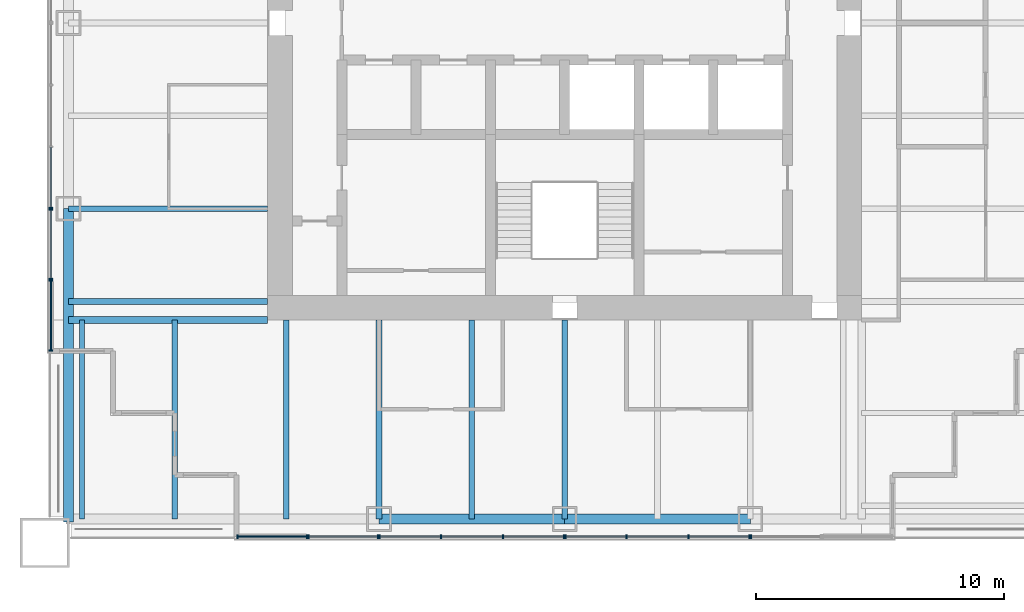
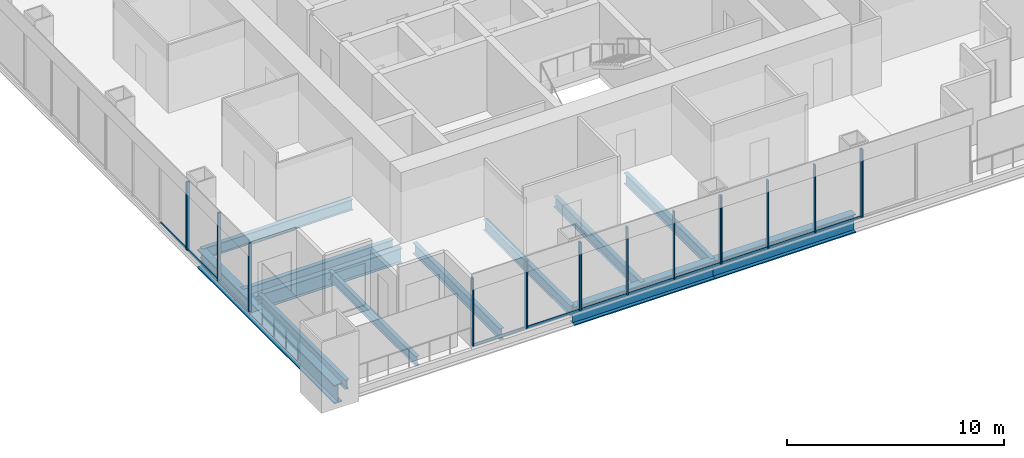
# One storey, part 2 of 14: 29 members, 12 beams, 8 elements without a shape of their own.
"""IFC4 building model written with IfcOpenShell, lengths in metres."""

from ifc_helpers import new_model, si_unit, direction, frame, origin, origin_2d, place, context, subcontext, project, spatial, rectangle, i_section, extrude, material, material_profile, profile_set, type_object, element, aggregate, save


model = new_model("IFC4")

# Units and contexts
model_context = context("Model", 3, precision=1e-05, world=origin(), true_north=direction((0.0, 1.0)))
body_context = subcontext(model_context, "Body", "Model", "MODEL_VIEW")
ifc_project = project(units=[si_unit("LENGTHUNIT", "METRE"), si_unit("AREAUNIT", "SQUARE_METRE"), si_unit("VOLUMEUNIT", "CUBIC_METRE"), si_unit("PLANEANGLEUNIT", "RADIAN"), si_unit("MASSUNIT", "GRAM", prefix="KILO")], contexts=[model_context])

# Site, building, storey
site_placement = place(None, origin())
site = spatial("IfcSite", under=ifc_project, at=site_placement, CompositionType="ELEMENT")
building_placement = place(site_placement, origin())
building = spatial("IfcBuilding", under=site, at=building_placement, Name="Tarangal Relay Tower", CompositionType="ELEMENT")
storey_placement = place(building_placement, frame((0.0, 0.0, 327.89990234375)))
storey = spatial("IfcBuildingStorey", under=building, at=storey_placement, Name="L73", CompositionType="ELEMENT", Elevation=327.89990234375)

# Beams
ifc_material_1 = material(Name="Steel ASTM A992", Category="steel")
ifc_material_profile_1 = material_profile(ifc_material_1, i_section(OverallWidth=0.209228515625, OverallDepth=0.533447265625, WebThickness=0.01025390625, FlangeThickness=0.015625, at=origin_2d()), Name="W21X62")
ifc_profile_set_1 = profile_set([ifc_material_profile_1], Name="Steel ASTM A992")
beam_type_1 = type_object("IfcBeamType", Name="Corner beam W21X62", PredefinedType="JOIST", material=ifc_profile_set_1)
for number, where, z_axis, x_axis, name in (
    (1, (-15.75, -12.0, -0.41650390625), (0.0, -1.0, 0.0), (1.0, 0.0, 0.0), "Corner beam CB12 S L73"),
    (2, (-19.5, -12.0, -0.41650390625), (0.0, -1.0, 0.0), (1.0, 0.0, 0.0), "Corner beam CB12 S L73"),
):
    element("IfcBeam", number, at=place(storey_placement, frame(where, z_axis=z_axis, x_axis=x_axis)), inside=storey, type_object=beam_type_1, Name=name, PredefinedType="JOIST", context=body_context, shape_type="SweptSolid", body=[
        extrude(i_section(OverallWidth=0.209228515625, OverallDepth=0.533447265625, WebThickness=0.01025390625, FlangeThickness=0.015625, at=origin_2d()), origin(), (0.0, 0.0, 1.0), 8.0400390625),
    ])
ifc_material_profile_2 = material_profile(ifc_material_1, i_section(OverallWidth=0.2919921875, OverallDepth=0.8408203125, WebThickness=0.0146484375, FlangeThickness=0.021728515625, at=origin_2d()), Name="W33X130")
ifc_profile_set_2 = profile_set([ifc_material_profile_2], Name="Steel ASTM A992")
beam_type_2 = type_object("IfcBeamType", Name="Corner girder W33X130", PredefinedType="BEAM", material=ifc_profile_set_2)
beam_1_placement = place(storey_placement, frame((-12.0, -12.0, -0.5703125), z_axis=(-1.0, 0.0, 0.0), x_axis=(0.0, -1.0, 0.0)))
element("IfcBeam", 3, at=beam_1_placement, inside=storey, type_object=beam_type_2, Name="Corner girder CG5 S L73", PredefinedType="BEAM", context=body_context, shape_type="SweptSolid", body=[
    extrude(i_section(OverallWidth=0.2919921875, OverallDepth=0.8408203125, WebThickness=0.0146484375, FlangeThickness=0.021728515625, at=origin_2d()), origin(), (0.0, 0.0, 1.0), 8.0400390625),
])
ifc_material_profile_3 = material_profile(ifc_material_1, i_section(OverallWidth=0.41162109375, OverallDepth=1.049072265625, WebThickness=0.033935546875, FlangeThickness=0.059814453125, at=origin_2d()), Name="W40X431")
ifc_profile_set_3 = profile_set([ifc_material_profile_3], Name="Steel ASTM A992")
beam_type_3 = type_object("IfcBeamType", Name="Edge girder W40X431", PredefinedType="SPANDREL", material=ifc_profile_set_3)
for number, where, z_axis, x_axis, name in (
    (4, (7.5, -20.0400390625, -0.67431640625), (-1.0, 0.0, 0.0), (0.0, -1.0, 0.0), "Edge girder EG1 S L73"),
    (5, (0.0, -20.0400390625, -0.67431640625), (-1.0, 0.0, 0.0), (0.0, -1.0, 0.0), "Edge girder EG1 S L73"),
):
    element("IfcBeam", number, at=place(storey_placement, frame(where, z_axis=z_axis, x_axis=x_axis)), inside=storey, type_object=beam_type_3, Name=name, PredefinedType="SPANDREL", context=body_context, shape_type="SweptSolid", body=[
        extrude(i_section(OverallWidth=0.41162109375, OverallDepth=1.049072265625, WebThickness=0.033935546875, FlangeThickness=0.059814453125, at=origin_2d()), origin(), (0.0, 0.0, 1.0), 7.5),
    ])
beam_2_placement = place(storey_placement, frame((-20.0400390625, -20.14990234375, -0.67431640625), z_axis=(0.0, 1.0, 0.0), x_axis=(-1.0, 0.0, 0.0)))
element("IfcBeam", 6, at=beam_2_placement, inside=storey, type_object=beam_type_3, Name="Edge girder EG1 W L73", PredefinedType="SPANDREL", context=body_context, shape_type="SweptSolid", body=[
    extrude(i_section(OverallWidth=0.41162109375, OverallDepth=1.049072265625, WebThickness=0.033935546875, FlangeThickness=0.059814453125, at=origin_2d()), origin(), (0.0, 0.0, 1.0), 12.64990234375),
])
ifc_material_profile_4 = material_profile(ifc_material_1, i_section(OverallWidth=0.228271484375, OverallDepth=0.607177734375, WebThickness=0.01123046875, FlangeThickness=0.017333984375, at=origin_2d()), Name="W24X76")
ifc_profile_set_4 = profile_set([ifc_material_profile_4], Name="Steel ASTM A992")
beam_type_4 = type_object("IfcBeamType", Name="Floor beam W24X76", PredefinedType="BEAM", material=ifc_profile_set_4)
for number, where, z_axis, x_axis, name in (
    (7, (0.0, -12.0, -0.453369140625), (0.0, -1.0, 0.0), (1.0, 0.0, 0.0), "Floor beam RB5 S L73"),
    (8, (-3.75, -12.0, -0.453369140625), (0.0, -1.0, 0.0), (1.0, 0.0, 0.0), "Floor beam RB5 S L73"),
    (9, (-7.5, -12.0, -0.453369140625), (0.0, -1.0, 0.0), (1.0, 0.0, 0.0), "Floor beam RB5 S L73"),
    (10, (-11.25, -12.0, -0.453369140625), (0.0, -1.0, 0.0), (1.0, 0.0, 0.0), "Floor beam RB5 S L73"),
    (11, (-12.0, -11.25, -0.453369140625), (-1.0, 0.0, 0.0), (0.0, -1.0, 0.0), "Floor beam RB5 W L73"),
    (12, (-12.0, -7.5, -0.453369140625), (-1.0, 0.0, 0.0), (0.0, -1.0, 0.0), "Floor beam RB5 W L73"),
):
    element("IfcBeam", number, at=place(storey_placement, frame(where, z_axis=z_axis, x_axis=x_axis)), inside=storey, type_object=beam_type_4, Name=name, PredefinedType="BEAM", context=body_context, shape_type="SweptSolid", body=[
        extrude(i_section(OverallWidth=0.228271484375, OverallDepth=0.607177734375, WebThickness=0.01123046875, FlangeThickness=0.017333984375, at=origin_2d()), origin(), (0.0, 0.0, 1.0), 8.0400390625),
    ])

# Curtain wall, member
ifc_material_2 = material(Name="Unitised curtain wall, dark glass and black aluminium", Category="aluminium")
curtain_wall_type_1 = type_object("IfcCurtainWallType", Name="Curtain wall CW-B", PredefinedType="USERDEFINED", material=ifc_material_2)
curtain_wall_1_placement = place(storey_placement, origin())
curtain_wall_1 = element("IfcCurtainWall", 13, at=curtain_wall_1_placement, inside=storey, type_object=curtain_wall_type_1, Name="Curtain wall CW-B S facade L73", ObjectType="UNITISED CURTAIN WALL", PredefinedType="USERDEFINED")
ifc_material_3 = material(Name="Black anodised aluminium mullion", Category="aluminium")
ifc_material_profile_5 = material_profile(ifc_material_3, rectangle(XDim=0.159912109375, YDim=0.06005859375, at=origin_2d()), Name="CW-BM 60X160")
ifc_profile_set_5 = profile_set([ifc_material_profile_5], Name="Black anodised aluminium mullion")
member_type_1 = type_object("IfcMemberType", Name="Mullion CW-B 60 x 160", PredefinedType="MULLION", material=ifc_profile_set_5)
member_1_placement = place(storey_placement, frame((7.530029296875, -20.75, 0.0), z_axis=(0.0, 0.0, 1.0), x_axis=(0.0, -1.0, 0.0)))
member_1 = element("IfcMember", 14, at=member_1_placement, type_object=member_type_1, Name="CW-B mullion 2", PredefinedType="MULLION", context=body_context, shape_type="SweptSolid", body=[
    extrude(rectangle(XDim=0.159912109375, YDim=0.06005859375, at=origin_2d()), origin(), (0.0, 0.0, 1.0), 3.85009765625),
])
aggregate(curtain_wall_1, [member_1])

# Curtain wall, members
curtain_wall_2_placement = place(storey_placement, origin())
curtain_wall_2 = element("IfcCurtainWall", 15, at=curtain_wall_2_placement, inside=storey, type_object=curtain_wall_type_1, Name="Curtain wall CW-B S facade L73", ObjectType="UNITISED CURTAIN WALL", PredefinedType="USERDEFINED")
member_2_placement = place(storey_placement, frame((7.469970703125, -20.75, 0.0), z_axis=(0.0, 0.0, 1.0), x_axis=(0.0, -1.0, 0.0)))
member_2 = element("IfcMember", 16, at=member_2_placement, type_object=member_type_1, Name="CW-B mullion 1", PredefinedType="MULLION", context=body_context, shape_type="SweptSolid", body=[
    extrude(rectangle(XDim=0.159912109375, YDim=0.06005859375, at=origin_2d()), origin(), (0.0, 0.0, 1.0), 3.85009765625),
])
member_3_placement = place(storey_placement, frame((5.0, -20.75, 0.0), z_axis=(0.0, 0.0, 1.0), x_axis=(0.0, -1.0, 0.0)))
member_3 = element("IfcMember", 17, at=member_3_placement, type_object=member_type_1, Name="CW-B mullion 2", PredefinedType="MULLION", context=body_context, shape_type="SweptSolid", body=[
    extrude(rectangle(XDim=0.159912109375, YDim=0.06005859375, at=origin_2d()), origin(), (0.0, 0.0, 1.0), 3.85009765625),
])
member_4_placement = place(storey_placement, frame((2.5, -20.75, 0.0), z_axis=(0.0, 0.0, 1.0), x_axis=(0.0, -1.0, 0.0)))
member_4 = element("IfcMember", 18, at=member_4_placement, type_object=member_type_1, Name="CW-B mullion 3", PredefinedType="MULLION", context=body_context, shape_type="SweptSolid", body=[
    extrude(rectangle(XDim=0.159912109375, YDim=0.06005859375, at=origin_2d()), origin(), (0.0, 0.0, 1.0), 3.85009765625),
])
member_5_placement = place(storey_placement, frame((0.030029296875, -20.75, 0.0), z_axis=(0.0, 0.0, 1.0), x_axis=(0.0, -1.0, 0.0)))
member_5 = element("IfcMember", 19, at=member_5_placement, type_object=member_type_1, Name="CW-B mullion 4", PredefinedType="MULLION", context=body_context, shape_type="SweptSolid", body=[
    extrude(rectangle(XDim=0.159912109375, YDim=0.06005859375, at=origin_2d()), origin(), (0.0, 0.0, 1.0), 3.85009765625),
])

curtain_wall_3_placement = place(storey_placement, origin())
curtain_wall_3 = element("IfcCurtainWall", 20, at=curtain_wall_3_placement, inside=storey, type_object=curtain_wall_type_1, Name="Curtain wall CW-B S facade L73", ObjectType="UNITISED CURTAIN WALL", PredefinedType="USERDEFINED")
member_6_placement = place(storey_placement, frame((-0.030029296875, -20.75, 0.0), z_axis=(0.0, 0.0, 1.0), x_axis=(0.0, -1.0, 0.0)))
member_6 = element("IfcMember", 21, at=member_6_placement, type_object=member_type_1, Name="CW-B mullion 1", PredefinedType="MULLION", context=body_context, shape_type="SweptSolid", body=[
    extrude(rectangle(XDim=0.159912109375, YDim=0.06005859375, at=origin_2d()), origin(), (0.0, 0.0, 1.0), 3.85009765625),
])
member_7_placement = place(storey_placement, frame((-2.5, -20.75, 0.0), z_axis=(0.0, 0.0, 1.0), x_axis=(0.0, -1.0, 0.0)))
member_7 = element("IfcMember", 22, at=member_7_placement, type_object=member_type_1, Name="CW-B mullion 2", PredefinedType="MULLION", context=body_context, shape_type="SweptSolid", body=[
    extrude(rectangle(XDim=0.159912109375, YDim=0.06005859375, at=origin_2d()), origin(), (0.0, 0.0, 1.0), 3.85009765625),
])
member_8_placement = place(storey_placement, frame((-5.0, -20.75, 0.0), z_axis=(0.0, 0.0, 1.0), x_axis=(0.0, -1.0, 0.0)))
member_8 = element("IfcMember", 23, at=member_8_placement, type_object=member_type_1, Name="CW-B mullion 3", PredefinedType="MULLION", context=body_context, shape_type="SweptSolid", body=[
    extrude(rectangle(XDim=0.159912109375, YDim=0.06005859375, at=origin_2d()), origin(), (0.0, 0.0, 1.0), 3.85009765625),
])
member_9_placement = place(storey_placement, frame((-7.469970703125, -20.75, 0.0), z_axis=(0.0, 0.0, 1.0), x_axis=(0.0, -1.0, 0.0)))
member_9 = element("IfcMember", 24, at=member_9_placement, type_object=member_type_1, Name="CW-B mullion 4", PredefinedType="MULLION", context=body_context, shape_type="SweptSolid", body=[
    extrude(rectangle(XDim=0.159912109375, YDim=0.06005859375, at=origin_2d()), origin(), (0.0, 0.0, 1.0), 3.85009765625),
])

curtain_wall_4_placement = place(storey_placement, origin())
curtain_wall_4 = element("IfcCurtainWall", 25, at=curtain_wall_4_placement, inside=storey, type_object=curtain_wall_type_1, Name="Curtain wall CW-B S facade L73", ObjectType="UNITISED CURTAIN WALL", PredefinedType="USERDEFINED")
member_10_placement = place(storey_placement, frame((-7.530029296875, -20.75, 0.0), z_axis=(0.0, 0.0, 1.0), x_axis=(0.0, -1.0, 0.0)))
member_10 = element("IfcMember", 26, at=member_10_placement, type_object=member_type_1, Name="CW-B mullion 1", PredefinedType="MULLION", context=body_context, shape_type="SweptSolid", body=[
    extrude(rectangle(XDim=0.159912109375, YDim=0.06005859375, at=origin_2d()), origin(), (0.0, 0.0, 1.0), 3.85009765625),
])
member_11_placement = place(storey_placement, frame((-10.344970703125, -20.75, 0.0), z_axis=(0.0, 0.0, 1.0), x_axis=(0.0, -1.0, 0.0)))
member_11 = element("IfcMember", 27, at=member_11_placement, type_object=member_type_1, Name="CW-B mullion 2", PredefinedType="MULLION", context=body_context, shape_type="SweptSolid", body=[
    extrude(rectangle(XDim=0.159912109375, YDim=0.06005859375, at=origin_2d()), origin(), (0.0, 0.0, 1.0), 3.85009765625),
])

curtain_wall_5_placement = place(storey_placement, origin())
curtain_wall_5 = element("IfcCurtainWall", 28, at=curtain_wall_5_placement, inside=storey, type_object=curtain_wall_type_1, Name="Curtain wall CW-B W facade L73", ObjectType="UNITISED CURTAIN WALL", PredefinedType="USERDEFINED")
member_12_placement = place(storey_placement, frame((-20.75, -10.344970703125, 0.0), z_axis=(0.0, 0.0, 1.0), x_axis=(-1.0, 0.0, 0.0)))
member_12 = element("IfcMember", 29, at=member_12_placement, type_object=member_type_1, Name="CW-B mullion 1", PredefinedType="MULLION", context=body_context, shape_type="SweptSolid", body=[
    extrude(rectangle(XDim=0.159912109375, YDim=0.06005859375, at=origin_2d()), origin(), (0.0, 0.0, 1.0), 3.85009765625),
])
member_13_placement = place(storey_placement, frame((-20.75, -7.530029296875, 0.0), z_axis=(0.0, 0.0, 1.0), x_axis=(-1.0, 0.0, 0.0)))
member_13 = element("IfcMember", 30, at=member_13_placement, type_object=member_type_1, Name="CW-B mullion 2", PredefinedType="MULLION", context=body_context, shape_type="SweptSolid", body=[
    extrude(rectangle(XDim=0.159912109375, YDim=0.06005859375, at=origin_2d()), origin(), (0.0, 0.0, 1.0), 3.85009765625),
])

# Curtain wall, member
curtain_wall_6_placement = place(storey_placement, origin())
curtain_wall_6 = element("IfcCurtainWall", 31, at=curtain_wall_6_placement, inside=storey, type_object=curtain_wall_type_1, Name="Curtain wall CW-B W facade L73", ObjectType="UNITISED CURTAIN WALL", PredefinedType="USERDEFINED")
member_14_placement = place(storey_placement, frame((-20.75, -7.469970703125, 0.0), z_axis=(0.0, 0.0, 1.0), x_axis=(-1.0, 0.0, 0.0)))
member_14 = element("IfcMember", 32, at=member_14_placement, type_object=member_type_1, Name="CW-B mullion 1", PredefinedType="MULLION", context=body_context, shape_type="SweptSolid", body=[
    extrude(rectangle(XDim=0.159912109375, YDim=0.06005859375, at=origin_2d()), origin(), (0.0, 0.0, 1.0), 3.85009765625),
])

# Curtain wall, members
ifc_material_4 = material(Name="Unitised curtain wall frame, black aluminium, with metal clad infill walls", Category="aluminium")
curtain_wall_type_2 = type_object("IfcCurtainWallType", Name="Curtain wall CW-BO", PredefinedType="USERDEFINED", material=ifc_material_4)
curtain_wall_7_placement = place(storey_placement, origin())
curtain_wall_7 = element("IfcCurtainWall", 33, at=curtain_wall_7_placement, inside=storey, type_object=curtain_wall_type_2, Name="Curtain wall CW-BO S facade L73", ObjectType="UNITISED CURTAIN WALL", PredefinedType="USERDEFINED")
ifc_material_profile_6 = material_profile(ifc_material_3, rectangle(XDim=0.159912109375, YDim=0.06005859375, at=origin_2d()), Name="CW-BOM 60X160")
ifc_profile_set_6 = profile_set([ifc_material_profile_6], Name="Black anodised aluminium mullion")
member_type_2 = type_object("IfcMemberType", Name="Mullion CW-BO 60 x 160", PredefinedType="MULLION", material=ifc_profile_set_6)
member_15_placement = place(storey_placement, frame((-10.405029296875, -20.75, 0.0), z_axis=(0.0, 0.0, 1.0), x_axis=(0.0, -1.0, 0.0)))
member_15 = element("IfcMember", 34, at=member_15_placement, type_object=member_type_2, Name="CW-BO mullion 1", PredefinedType="MULLION", context=body_context, shape_type="SweptSolid", body=[
    extrude(rectangle(XDim=0.159912109375, YDim=0.06005859375, at=origin_2d()), origin(), (0.0, 0.0, 1.0), 3.85009765625),
])
member_16_placement = place(storey_placement, frame((-13.219970703125, -20.75, 0.0), z_axis=(0.0, 0.0, 1.0), x_axis=(0.0, -1.0, 0.0)))
member_16 = element("IfcMember", 35, at=member_16_placement, type_object=member_type_2, Name="CW-BO mullion 2", PredefinedType="MULLION", context=body_context, shape_type="SweptSolid", body=[
    extrude(rectangle(XDim=0.159912109375, YDim=0.06005859375, at=origin_2d()), origin(), (0.0, 0.0, 1.0), 3.85009765625),
])

curtain_wall_8_placement = place(storey_placement, origin())
curtain_wall_8 = element("IfcCurtainWall", 36, at=curtain_wall_8_placement, inside=storey, type_object=curtain_wall_type_2, Name="Curtain wall CW-BO W facade L73", ObjectType="UNITISED CURTAIN WALL", PredefinedType="USERDEFINED")
member_17_placement = place(storey_placement, frame((-20.75, -13.219970703125, 0.0), z_axis=(0.0, 0.0, 1.0), x_axis=(-1.0, 0.0, 0.0)))
member_17 = element("IfcMember", 37, at=member_17_placement, type_object=member_type_2, Name="CW-BO mullion 1", PredefinedType="MULLION", context=body_context, shape_type="SweptSolid", body=[
    extrude(rectangle(XDim=0.159912109375, YDim=0.06005859375, at=origin_2d()), origin(), (0.0, 0.0, 1.0), 3.85009765625),
])
member_18_placement = place(storey_placement, frame((-20.75, -10.405029296875, 0.0), z_axis=(0.0, 0.0, 1.0), x_axis=(-1.0, 0.0, 0.0)))
member_18 = element("IfcMember", 38, at=member_18_placement, type_object=member_type_2, Name="CW-BO mullion 2", PredefinedType="MULLION", context=body_context, shape_type="SweptSolid", body=[
    extrude(rectangle(XDim=0.159912109375, YDim=0.06005859375, at=origin_2d()), origin(), (0.0, 0.0, 1.0), 3.85009765625),
])

# Member
ifc_material_5 = material(Name="Black anodised aluminium transom", Category="aluminium")
ifc_material_profile_7 = material_profile(ifc_material_5, rectangle(XDim=0.06005859375, YDim=0.1298828125, at=origin_2d()), Name="CW-BT 60X130")
ifc_profile_set_7 = profile_set([ifc_material_profile_7], Name="Black anodised aluminium transom")
member_type_3 = type_object("IfcMemberType", Name="Transom CW-B 60 x 130", PredefinedType="USERDEFINED", material=ifc_profile_set_7)
member_19_placement = place(storey_placement, frame((7.43994140625, -20.75, 0.030029296875), z_axis=(-1.0, 0.0, 0.0), x_axis=(0.0, -1.0, 0.0)))
member_19 = element("IfcMember", 39, at=member_19_placement, type_object=member_type_3, Name="CW-B transom 1.1", ObjectType="TRANSOM", PredefinedType="USERDEFINED", context=body_context, shape_type="SweptSolid", body=[
    extrude(rectangle(XDim=0.06005859375, YDim=0.1298828125, at=origin_2d()), origin(), (0.0, 0.0, 1.0), 2.409912109375),
])

member_20_placement = place(storey_placement, frame((4.969970703125, -20.75, 0.030029296875), z_axis=(-1.0, 0.0, 0.0), x_axis=(0.0, -1.0, 0.0)))
member_20 = element("IfcMember", 40, at=member_20_placement, type_object=member_type_3, Name="CW-B transom 2.1", ObjectType="TRANSOM", PredefinedType="USERDEFINED", context=body_context, shape_type="SweptSolid", body=[
    extrude(rectangle(XDim=0.06005859375, YDim=0.1298828125, at=origin_2d()), origin(), (0.0, 0.0, 1.0), 2.43994140625),
])

member_21_placement = place(storey_placement, frame((2.469970703125, -20.75, 0.030029296875), z_axis=(-1.0, 0.0, 0.0), x_axis=(0.0, -1.0, 0.0)))
member_21 = element("IfcMember", 41, at=member_21_placement, type_object=member_type_3, Name="CW-B transom 3.1", ObjectType="TRANSOM", PredefinedType="USERDEFINED", context=body_context, shape_type="SweptSolid", body=[
    extrude(rectangle(XDim=0.06005859375, YDim=0.1298828125, at=origin_2d()), origin(), (0.0, 0.0, 1.0), 2.409912109375),
])

aggregate(curtain_wall_2, [member_2, member_3, member_4, member_5, member_19, member_20, member_21])

member_22_placement = place(storey_placement, frame((-0.06005859375, -20.75, 0.030029296875), z_axis=(-1.0, 0.0, 0.0), x_axis=(0.0, -1.0, 0.0)))
member_22 = element("IfcMember", 42, at=member_22_placement, type_object=member_type_3, Name="CW-B transom 1.1", ObjectType="TRANSOM", PredefinedType="USERDEFINED", context=body_context, shape_type="SweptSolid", body=[
    extrude(rectangle(XDim=0.06005859375, YDim=0.1298828125, at=origin_2d()), origin(), (0.0, 0.0, 1.0), 2.409912109375),
])

member_23_placement = place(storey_placement, frame((-2.530029296875, -20.75, 0.030029296875), z_axis=(-1.0, 0.0, 0.0), x_axis=(0.0, -1.0, 0.0)))
member_23 = element("IfcMember", 43, at=member_23_placement, type_object=member_type_3, Name="CW-B transom 2.1", ObjectType="TRANSOM", PredefinedType="USERDEFINED", context=body_context, shape_type="SweptSolid", body=[
    extrude(rectangle(XDim=0.06005859375, YDim=0.1298828125, at=origin_2d()), origin(), (0.0, 0.0, 1.0), 2.43994140625),
])

member_24_placement = place(storey_placement, frame((-5.030029296875, -20.75, 0.030029296875), z_axis=(-1.0, 0.0, 0.0), x_axis=(0.0, -1.0, 0.0)))
member_24 = element("IfcMember", 44, at=member_24_placement, type_object=member_type_3, Name="CW-B transom 3.1", ObjectType="TRANSOM", PredefinedType="USERDEFINED", context=body_context, shape_type="SweptSolid", body=[
    extrude(rectangle(XDim=0.06005859375, YDim=0.1298828125, at=origin_2d()), origin(), (0.0, 0.0, 1.0), 2.409912109375),
])

aggregate(curtain_wall_3, [member_6, member_7, member_8, member_9, member_22, member_23, member_24])

member_25_placement = place(storey_placement, frame((-7.56005859375, -20.75, 0.030029296875), z_axis=(-1.0, 0.0, 0.0), x_axis=(0.0, -1.0, 0.0)))
member_25 = element("IfcMember", 45, at=member_25_placement, type_object=member_type_3, Name="CW-B transom 1.1", ObjectType="TRANSOM", PredefinedType="USERDEFINED", context=body_context, shape_type="SweptSolid", body=[
    extrude(rectangle(XDim=0.06005859375, YDim=0.1298828125, at=origin_2d()), origin(), (0.0, 0.0, 1.0), 2.7548828125),
])

aggregate(curtain_wall_4, [member_10, member_11, member_25])

member_26_placement = place(storey_placement, frame((-20.75, -10.31494140625, 0.030029296875), z_axis=(0.0, 1.0, 0.0), x_axis=(-1.0, 0.0, 0.0)))
member_26 = element("IfcMember", 46, at=member_26_placement, type_object=member_type_3, Name="CW-B transom 1.1", ObjectType="TRANSOM", PredefinedType="USERDEFINED", context=body_context, shape_type="SweptSolid", body=[
    extrude(rectangle(XDim=0.06005859375, YDim=0.1298828125, at=origin_2d()), origin(), (0.0, 0.0, 1.0), 2.7548828125),
])

aggregate(curtain_wall_5, [member_12, member_13, member_26])

member_27_placement = place(storey_placement, frame((-20.75, -7.43994140625, 0.030029296875), z_axis=(0.0, 1.0, 0.0), x_axis=(-1.0, 0.0, 0.0)))
member_27 = element("IfcMember", 47, at=member_27_placement, type_object=member_type_3, Name="CW-B transom 1.1", ObjectType="TRANSOM", PredefinedType="USERDEFINED", context=body_context, shape_type="SweptSolid", body=[
    extrude(rectangle(XDim=0.06005859375, YDim=0.1298828125, at=origin_2d()), origin(), (0.0, 0.0, 1.0), 2.409912109375),
])

aggregate(curtain_wall_6, [member_14, member_27])

ifc_material_profile_8 = material_profile(ifc_material_5, rectangle(XDim=0.06005859375, YDim=0.1298828125, at=origin_2d()), Name="CW-BOT 60X130")
ifc_profile_set_8 = profile_set([ifc_material_profile_8], Name="Black anodised aluminium transom")
member_type_4 = type_object("IfcMemberType", Name="Transom CW-BO 60 x 130", PredefinedType="USERDEFINED", material=ifc_profile_set_8)
member_28_placement = place(storey_placement, frame((-10.43505859375, -20.75, 0.030029296875), z_axis=(-1.0, 0.0, 0.0), x_axis=(0.0, -1.0, 0.0)))
member_28 = element("IfcMember", 48, at=member_28_placement, type_object=member_type_4, Name="CW-BO transom 1.1", ObjectType="TRANSOM", PredefinedType="USERDEFINED", context=body_context, shape_type="SweptSolid", body=[
    extrude(rectangle(XDim=0.06005859375, YDim=0.1298828125, at=origin_2d()), origin(), (0.0, 0.0, 1.0), 2.7548828125),
])

aggregate(curtain_wall_7, [member_15, member_16, member_28])

member_29_placement = place(storey_placement, frame((-20.75, -13.18994140625, 0.030029296875), z_axis=(0.0, 1.0, 0.0), x_axis=(-1.0, 0.0, 0.0)))
member_29 = element("IfcMember", 49, at=member_29_placement, type_object=member_type_4, Name="CW-BO transom 1.1", ObjectType="TRANSOM", PredefinedType="USERDEFINED", context=body_context, shape_type="SweptSolid", body=[
    extrude(rectangle(XDim=0.06005859375, YDim=0.1298828125, at=origin_2d()), origin(), (0.0, 0.0, 1.0), 2.7548828125),
])

aggregate(curtain_wall_8, [member_17, member_18, member_29])

save(model, "model.ifc")
